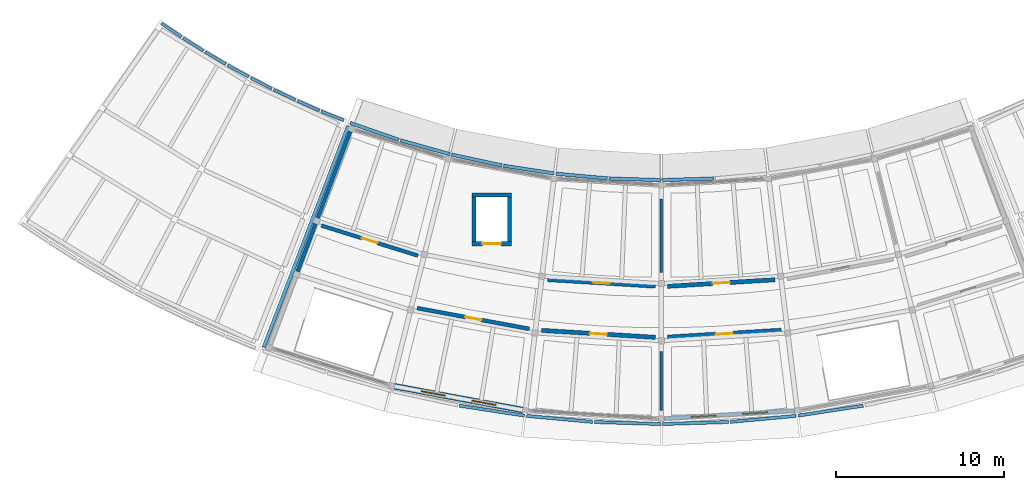
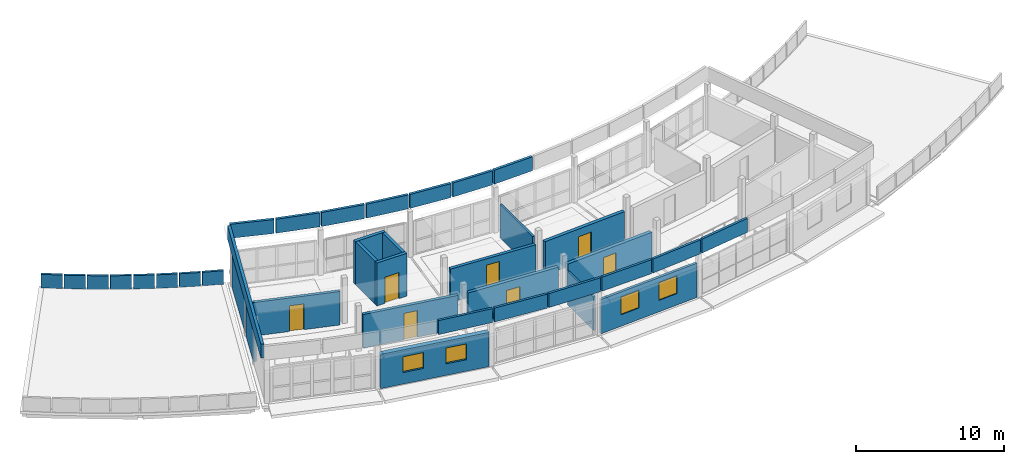
# One storey, part 9 of 12: 38 walls, 7 doors, 4 windows, 11 openings.
"""IFC4 building model written with IfcOpenShell, lengths in metres."""

from ifc_helpers import new_model, si_unit, direction, frame, frame_2d, origin, place, context, subcontext, project, spatial, rectangle, extrude, material, layer, layer_set, type_object, element, fill, save


model = new_model("IFC4")

# Units and contexts
model_context = context("Model", 3, precision=1e-05, world=origin(), true_north=direction((0.0, 1.0)))
body_context = subcontext(model_context, "Body", "Model", "MODEL_VIEW")
ifc_project = project(units=[si_unit("LENGTHUNIT", "METRE"), si_unit("AREAUNIT", "SQUARE_METRE"), si_unit("VOLUMEUNIT", "CUBIC_METRE"), si_unit("PLANEANGLEUNIT", "RADIAN"), si_unit("MASSUNIT", "GRAM", prefix="KILO")], contexts=[model_context])

# Site, building, storey
site_placement = place(None, origin())
site = spatial("IfcSite", under=ifc_project, at=site_placement, CompositionType="ELEMENT")
building_placement = place(site_placement, origin())
building = spatial("IfcBuilding", under=site, at=building_placement, Name="Caldaven Crescent School", CompositionType="ELEMENT")
storey_placement = place(building_placement, frame((0.0, 0.0, 19.3798828125)))
storey = spatial("IfcBuildingStorey", under=building, at=storey_placement, Name="L05", CompositionType="ELEMENT", Elevation=19.3798828125)

# Wall
ifc_material_1 = material(Name="Concrete C35/45", Category="concrete")
ifc_layer_1 = layer(ifc_material_1, 0.300048828125)
ifc_layer_set_1 = layer_set([ifc_layer_1], Name="Concrete C35/45")
wall_type_1 = type_object("IfcWallType", Name="WAL-CW1", PredefinedType="SHEAR", material=ifc_layer_set_1)
wall_1_placement = place(storey_placement, frame((76.729248046875, 42.977783203125, 0.0), z_axis=(0.0, 0.0, 1.0), x_axis=(1.0, 0.0, 0.0)))
element("IfcWall", 1, at=wall_1_placement, inside=storey, type_object=wall_type_1, Name="CW-LF5-L05-N", PredefinedType="SHEAR", context=body_context, shape_type="SweptSolid", body=[
    extrude(rectangle(XDim=2.349853515625, YDim=0.25, at=frame_2d((1.1748046875, 0.0))), origin(), (0.0, 0.0, 1.0), 3.530029296875),
])

# Wall, opening, door
wall_2_placement = place(storey_placement, frame((76.729248046875, 40.07763671875, 0.0), z_axis=(0.0, 0.0, 1.0), x_axis=(1.0, 0.0, 0.0)))
wall_2 = element("IfcWall", 2, at=wall_2_placement, inside=storey, type_object=wall_type_1, Name="CW-LF5-L05-S", PredefinedType="SHEAR", context=body_context, shape_type="SweptSolid", body=[
    extrude(rectangle(XDim=2.349853515625, YDim=0.25, at=frame_2d((1.1748046875, 0.0))), origin(), (0.0, 0.0, 1.0), 3.530029296875),
])
opening_1_placement = place(wall_2_placement, frame((0.625, 0.0, 0.0)))
opening_1 = element("IfcOpeningElement", 3, at=opening_1_placement, cuts=wall_2, Name="Opening LD-LF5-L05", PredefinedType="OPENING", context=body_context, shape_type="SweptSolid", body=[
    extrude(rectangle(XDim=1.10009765625, YDim=2.14990234375, at=frame_2d((0.550048828125, 1.074951171875))), frame((0.0, 0.135009765625, 0.0), z_axis=(0.0, -1.0, 0.0), x_axis=(1.0, 0.0, 0.0)), (0.0, 0.0, 1.0), 0.27001953125),
])
ifc_material_2 = material(Name="Brushed stainless-steel automatic telescopic landing door", Category="steel")
door_type_1 = type_object("IfcDoorType", Name="DOR-LD01", OperationType="DOUBLE_DOOR_SLIDING", PredefinedType="DOOR", material=ifc_material_2)
door_1_placement = place(opening_1_placement, origin())
door_1 = element("IfcDoor", 4, at=door_1_placement, inside=storey, type_object=door_type_1, Name="DOR-LD-LF5-L05", OperationType="DOUBLE_DOOR_SLIDING", OverallHeight=2.14990234375, OverallWidth=1.10009765625, PredefinedType="DOOR", context=body_context, shape_type="SweptSolid", body=[
    extrude(rectangle(XDim=1.10009765625, YDim=2.14990234375, at=frame_2d((0.550048828125, 1.074951171875))), frame((0.0, 0.02490234375, 0.0), z_axis=(0.0, -1.0, 0.0), x_axis=(1.0, 0.0, 0.0)), (0.0, 0.0, 1.0), 0.050048828125),
])
fill(opening_1, door_1)

# Walls
ifc_layer_2 = layer(ifc_material_1, 0.25)
ifc_layer_set_2 = layer_set([ifc_layer_2], Name="Concrete C35/45")
wall_type_2 = type_object("IfcWallType", Name="WAL-CW2", PredefinedType="SHEAR", material=ifc_layer_set_2)
for number, where, z_axis, x_axis, name in (
    (5, (76.854248046875, 40.20263671875, 0.0), (0.0, 0.0, 1.0), (0.0, 1.0, 0.0), "CW-LF5-L05-W"),
    (6, (78.9541015625, 40.20263671875, 0.0), (0.0, 0.0, 1.0), (0.0, 1.0, 0.0), "CW-LF5-L05-E"),
):
    element("IfcWall", number, at=place(storey_placement, frame(where, z_axis=z_axis, x_axis=x_axis)), inside=storey, type_object=wall_type_2, Name=name, PredefinedType="SHEAR", context=body_context, shape_type="SweptSolid", body=[
        extrude(rectangle(XDim=2.650146484375, YDim=0.25, at=frame_2d((1.3251953125, 0.0))), origin(), (0.0, 0.0, 1.0), 3.530029296875),
    ])

# Wall, openings, windows
ifc_material_3 = material(Name="Precast concrete C35/45", Category="concrete")
ifc_layer_3 = layer(ifc_material_3, 0.19189453125)
ifc_layer_set_3 = layer_set([ifc_layer_3], Name="Precast concrete C35/45")
wall_type_3 = type_object("IfcWallType", Name="WAL-EW01", PredefinedType="STANDARD", material=ifc_layer_set_3)
wall_3_placement = place(storey_placement, frame((88.167724609375, 29.66015625, 0.0), z_axis=(0.0, 0.0, 1.0), x_axis=(0.998134280548, 0.061057006105, 0.0)))
wall_3 = element("IfcWall", 7, at=wall_3_placement, inside=storey, type_object=wall_type_3, Name="EW-L05-252", PredefinedType="STANDARD", context=body_context, shape_type="SweptSolid", body=[
    extrude(rectangle(XDim=7.76513671875, YDim=0.19189453125, at=frame_2d((3.882568359375, 0.0))), origin(), (0.0, 0.0, 1.0), 2.820068359375),
])
opening_2_placement = place(wall_3_placement, frame((1.614990234375, 0.0, 0.949951171875)))
opening_2 = element("IfcOpeningElement", 8, at=opening_2_placement, cuts=wall_3, Name="Opening W15", PredefinedType="OPENING", context=body_context, shape_type="SweptSolid", body=[
    extrude(rectangle(XDim=1.4599609375, YDim=1.449951171875, at=frame_2d((0.72998046875, 0.72509765625))), frame((0.0, 0.10595703125, 0.0), z_axis=(0.0, -1.0, 0.0), x_axis=(1.0, 0.0, 0.0)), (0.0, 0.0, 1.0), 0.2119140625),
])
opening_3_placement = place(wall_3_placement, frame((4.690185546875, 0.0, 0.949951171875)))
opening_3 = element("IfcOpeningElement", 9, at=opening_3_placement, cuts=wall_3, Name="Opening W15", PredefinedType="OPENING", context=body_context, shape_type="SweptSolid", body=[
    extrude(rectangle(XDim=1.4599609375, YDim=1.449951171875, at=frame_2d((0.72998046875, 0.72509765625))), frame((0.0, 0.10595703125, 0.0), z_axis=(0.0, -1.0, 0.0), x_axis=(1.0, 0.0, 0.0)), (0.0, 0.0, 1.0), 0.2119140625),
])
ifc_material_4 = material(Name="Thermally broken anodised aluminium AA 6063-T6 and low-E double glazing", Category="aluminium")
window_type_1 = type_object("IfcWindowType", Name="WIN-W15", PartitioningType="SINGLE_PANEL", PredefinedType="WINDOW", material=ifc_material_4)
window_1_placement = place(opening_2_placement, origin())
window_1 = element("IfcWindow", 10, at=window_1_placement, inside=storey, type_object=window_type_1, Name="WIN-L05-110-1", OverallHeight=1.449951171875, OverallWidth=1.4599609375, PartitioningType="SINGLE_PANEL", PredefinedType="WINDOW", context=body_context, shape_type="SweptSolid", body=[
    extrude(rectangle(XDim=1.4599609375, YDim=1.449951171875, at=frame_2d((0.72998046875, 0.72509765625))), frame((0.0, 0.030029296875, 0.0), z_axis=(0.0, -1.0, 0.0), x_axis=(1.0, 0.0, 0.0)), (0.0, 0.0, 1.0), 0.06005859375),
])
fill(opening_2, window_1)
window_2_placement = place(opening_3_placement, origin())
window_2 = element("IfcWindow", 11, at=window_2_placement, inside=storey, type_object=window_type_1, Name="WIN-L05-110-2", OverallHeight=1.449951171875, OverallWidth=1.4599609375, PartitioningType="SINGLE_PANEL", PredefinedType="WINDOW", context=body_context, shape_type="SweptSolid", body=[
    extrude(rectangle(XDim=1.4599609375, YDim=1.449951171875, at=frame_2d((0.72998046875, 0.72509765625))), frame((0.0, 0.030029296875, 0.0), z_axis=(0.0, -1.0, 0.0), x_axis=(1.0, 0.0, 0.0)), (0.0, 0.0, 1.0), 0.06005859375),
])
fill(opening_3, window_2)

# Walls
ifc_layer_4 = layer(ifc_material_3, 0.216064453125)
ifc_layer_set_4 = layer_set([ifc_layer_4], Name="Precast concrete C35/45")
wall_type_4 = type_object("IfcWallType", Name="WAL-EW03", PredefinedType="STANDARD", material=ifc_layer_set_4)
wall_4_placement = place(storey_placement, frame((69.482177734375, 46.748291015625, 0.0), z_axis=(0.0, 0.0, 1.0), x_axis=(-0.35193583719, -0.936024127094, 0.0)))
element("IfcWall", 12, at=wall_4_placement, inside=storey, type_object=wall_type_4, Name="EW-L05-254", PredefinedType="STANDARD", context=body_context, shape_type="SweptSolid", body=[
    extrude(rectangle(XDim=5.4990234375, YDim=0.216064453125, at=frame_2d((2.74951171875, 0.0))), origin(), (0.0, 0.0, 1.0), 2.820068359375),
])
ifc_layer_5 = layer(ifc_material_3, 0.22802734375)
ifc_layer_set_5 = layer_set([ifc_layer_5], Name="Precast concrete C35/45")
wall_type_5 = type_object("IfcWallType", Name="WAL-EW04", PredefinedType="STANDARD", material=ifc_layer_set_5)
wall_5_placement = place(storey_placement, frame((67.41796875, 41.25830078125, 0.0), z_axis=(0.0, 0.0, 1.0), x_axis=(-0.351899369392, -0.936037837815, 0.0)))
element("IfcWall", 13, at=wall_5_placement, inside=storey, type_object=wall_type_5, Name="EW-L05-255", PredefinedType="STANDARD", context=body_context, shape_type="SweptSolid", body=[
    extrude(rectangle(XDim=3.033935546875, YDim=0.22802734375, at=frame_2d((1.51708984375, 0.0))), origin(), (0.0, 0.0, 1.0), 2.820068359375),
])

# Wall, openings, windows
ifc_layer_6 = layer(ifc_material_3, 0.347900390625)
ifc_layer_set_6 = layer_set([ifc_layer_6], Name="Precast concrete C35/45")
wall_type_6 = type_object("IfcWallType", Name="WAL-EW14", PredefinedType="STANDARD", material=ifc_layer_set_6)
wall_6_placement = place(storey_placement, frame((72.11376953125, 31.59033203125, 0.0), z_axis=(0.0, 0.0, 1.0), x_axis=(0.983255515732, -0.182232244082, 0.0)))
wall_6 = element("IfcWall", 14, at=wall_6_placement, inside=storey, type_object=wall_type_6, Name="EW-L05-251", PredefinedType="STANDARD", context=body_context, shape_type="SweptSolid", body=[
    extrude(rectangle(XDim=7.76513671875, YDim=0.347900390625, at=frame_2d((3.882568359375, 0.0))), origin(), (0.0, 0.0, 1.0), 2.820068359375),
])
opening_4_placement = place(wall_6_placement, frame((1.614990234375, 0.0, 0.949951171875)))
opening_4 = element("IfcOpeningElement", 15, at=opening_4_placement, cuts=wall_6, Name="Opening W14", PredefinedType="OPENING", context=body_context, shape_type="SweptSolid", body=[
    extrude(rectangle(XDim=1.4599609375, YDim=1.300048828125, at=frame_2d((0.72998046875, 0.64990234375))), frame((0.0, 0.183837890625, 0.0), z_axis=(0.0, -1.0, 0.0), x_axis=(1.0, 0.0, 0.0)), (0.0, 0.0, 1.0), 0.367919921875),
])
opening_5_placement = place(wall_6_placement, frame((4.690185546875, 0.0, 0.949951171875)))
opening_5 = element("IfcOpeningElement", 16, at=opening_5_placement, cuts=wall_6, Name="Opening W14", PredefinedType="OPENING", context=body_context, shape_type="SweptSolid", body=[
    extrude(rectangle(XDim=1.4599609375, YDim=1.300048828125, at=frame_2d((0.72998046875, 0.64990234375))), frame((0.0, 0.183837890625, 0.0), z_axis=(0.0, -1.0, 0.0), x_axis=(1.0, 0.0, 0.0)), (0.0, 0.0, 1.0), 0.367919921875),
])
window_type_2 = type_object("IfcWindowType", Name="WIN-W14", PartitioningType="SINGLE_PANEL", PredefinedType="WINDOW", material=ifc_material_4)
window_3_placement = place(opening_4_placement, origin())
window_3 = element("IfcWindow", 17, at=window_3_placement, inside=storey, type_object=window_type_2, Name="WIN-L05-109-1", OverallHeight=1.300048828125, OverallWidth=1.4599609375, PartitioningType="SINGLE_PANEL", PredefinedType="WINDOW", context=body_context, shape_type="SweptSolid", body=[
    extrude(rectangle(XDim=1.4599609375, YDim=1.300048828125, at=frame_2d((0.72998046875, 0.64990234375))), frame((0.0, 0.030029296875, 0.0), z_axis=(0.0, -1.0, 0.0), x_axis=(1.0, 0.0, 0.0)), (0.0, 0.0, 1.0), 0.06005859375),
])
fill(opening_4, window_3)
window_4_placement = place(opening_5_placement, origin())
window_4 = element("IfcWindow", 18, at=window_4_placement, inside=storey, type_object=window_type_2, Name="WIN-L05-109-2", OverallHeight=1.300048828125, OverallWidth=1.4599609375, PartitioningType="SINGLE_PANEL", PredefinedType="WINDOW", context=body_context, shape_type="SweptSolid", body=[
    extrude(rectangle(XDim=1.4599609375, YDim=1.300048828125, at=frame_2d((0.72998046875, 0.64990234375))), frame((0.0, 0.030029296875, 0.0), z_axis=(0.0, -1.0, 0.0), x_axis=(1.0, 0.0, 0.0)), (0.0, 0.0, 1.0), 0.06005859375),
])
fill(opening_5, window_4)

# Wall, opening, door
ifc_material_5 = material(Name="Acoustic timber-stud and fire-rated gypsum board assembly", Category="wood")
ifc_layer_7 = layer(ifc_material_5, 0.219970703125)
ifc_layer_set_7 = layer_set([ifc_layer_7], Name="Acoustic timber-stud and fire-rated gypsum board assembly")
wall_type_7 = type_object("IfcWallType", Name="WAL-IW07", PredefinedType="STANDARD", material=ifc_layer_set_7)
wall_7_placement = place(storey_placement, frame((67.7626953125, 41.154052734375, 0.0), z_axis=(0.0, 0.0, 1.0), x_axis=(0.954756741519, -0.297387902451, 0.0)))
wall_7 = element("IfcWall", 19, at=wall_7_placement, inside=storey, type_object=wall_type_7, Name="IW-L05-0294", PredefinedType="STANDARD", context=body_context, shape_type="SweptSolid", body=[
    extrude(rectangle(XDim=6.018310546875, YDim=0.219970703125, at=frame_2d((3.00927734375, 0.0))), origin(), (0.0, 0.0, 1.0), 2.760009765625),
])
opening_6_placement = place(wall_7_placement, frame((2.51904296875, 0.0, 0.0)))
opening_6 = element("IfcOpeningElement", 20, at=opening_6_placement, cuts=wall_7, Name="Opening D-L05-I213", PredefinedType="OPENING", context=body_context, shape_type="SweptSolid", body=[
    extrude(rectangle(XDim=0.97998046875, YDim=2.1201171875, at=frame_2d((0.489990234375, 1.06005859375))), frame((0.0, 0.119873046875, 0.0), z_axis=(0.0, -1.0, 0.0), x_axis=(1.0, 0.0, 0.0)), (0.0, 0.0, 1.0), 0.239990234375),
])
ifc_material_6 = material(Name="Solid-core Pino Radiata acoustic timber leaf in steel frame", Category="steel")
door_type_2 = type_object("IfcDoorType", Name="DOR-ID14", OperationType="NOTDEFINED", PredefinedType="DOOR", material=ifc_material_6)
door_2_placement = place(opening_6_placement, frame((0.97998046875, 0.0, 0.0), z_axis=(0.0, 0.0, 1.0), x_axis=(-1.0, 0.0, 0.0)))
door_2 = element("IfcDoor", 21, at=door_2_placement, inside=storey, type_object=door_type_2, Name="DOR-INT-L05-0213", OperationType="SINGLE_SWING_RIGHT", OverallHeight=2.1201171875, OverallWidth=0.97998046875, PredefinedType="DOOR", context=body_context, shape_type="SweptSolid", body=[
    extrude(rectangle(XDim=0.97998046875, YDim=2.1201171875, at=frame_2d((0.489990234375, 1.06005859375))), frame((0.0, 0.02490234375, 0.0), z_axis=(0.0, -1.0, 0.0), x_axis=(1.0, 0.0, 0.0)), (0.0, 0.0, 1.0), 0.050048828125),
])
fill(opening_6, door_2)

ifc_layer_8 = layer(ifc_material_5, 0.22998046875)
ifc_layer_set_8 = layer_set([ifc_layer_8], Name="Acoustic timber-stud and fire-rated gypsum board assembly")
wall_type_8 = type_object("IfcWallType", Name="WAL-IW08", PredefinedType="STANDARD", material=ifc_layer_set_8)
wall_8_placement = place(storey_placement, frame((73.470947265625, 36.24169921875, 0.0), z_axis=(0.0, 0.0, 1.0), x_axis=(0.983257442509, -0.182221847619, 0.0)))
wall_8 = element("IfcWall", 22, at=wall_8_placement, inside=storey, type_object=wall_type_8, Name="IW-L05-0295", PredefinedType="STANDARD", context=body_context, shape_type="SweptSolid", body=[
    extrude(rectangle(XDim=6.79150390625, YDim=0.22998046875, at=frame_2d((3.395751953125, 0.0))), origin(), (0.0, 0.0, 1.0), 2.760009765625),
])
opening_7_placement = place(wall_8_placement, frame((2.90576171875, 0.0, 0.0)))
opening_7 = element("IfcOpeningElement", 23, at=opening_7_placement, cuts=wall_8, Name="Opening D-L05-I214", PredefinedType="OPENING", context=body_context, shape_type="SweptSolid", body=[
    extrude(rectangle(XDim=0.97998046875, YDim=2.179931640625, at=frame_2d((0.489990234375, 1.08984375))), frame((0.0, 0.125, 0.0), z_axis=(0.0, -1.0, 0.0), x_axis=(1.0, 0.0, 0.0)), (0.0, 0.0, 1.0), 0.25),
])
door_type_3 = type_object("IfcDoorType", Name="DOR-ID15", OperationType="NOTDEFINED", PredefinedType="DOOR", material=ifc_material_6)
door_3_placement = place(opening_7_placement, origin())
door_3 = element("IfcDoor", 24, at=door_3_placement, inside=storey, type_object=door_type_3, Name="DOR-INT-L05-0214", OperationType="SINGLE_SWING_LEFT", OverallHeight=2.179931640625, OverallWidth=0.97998046875, PredefinedType="DOOR", context=body_context, shape_type="SweptSolid", body=[
    extrude(rectangle(XDim=0.97998046875, YDim=2.179931640625, at=frame_2d((0.489990234375, 1.08984375))), frame((0.0, 0.02490234375, 0.0), z_axis=(0.0, -1.0, 0.0), x_axis=(1.0, 0.0, 0.0)), (0.0, 0.0, 1.0), 0.050048828125),
])
fill(opening_7, door_3)

ifc_layer_9 = layer(ifc_material_5, 0.239990234375)
ifc_layer_set_9 = layer_set([ifc_layer_9], Name="Acoustic timber-stud and fire-rated gypsum board assembly")
wall_type_9 = type_object("IfcWallType", Name="WAL-IW09", PredefinedType="STANDARD", material=ifc_layer_set_9)
wall_9_placement = place(storey_placement, frame((81.232421875, 37.933837890625, 0.0), z_axis=(0.0, 0.0, 1.0), x_axis=(0.998135716959, -0.061033519724, 0.0)))
wall_9 = element("IfcWall", 25, at=wall_9_placement, inside=storey, type_object=wall_type_9, Name="IW-L05-0296", PredefinedType="STANDARD", context=body_context, shape_type="SweptSolid", body=[
    extrude(rectangle(XDim=6.420166015625, YDim=0.239990234375, at=frame_2d((3.2099609375, 0.0))), origin(), (0.0, 0.0, 1.0), 2.760009765625),
])
opening_8_placement = place(wall_9_placement, frame((2.72021484375, 0.0, 0.0)))
opening_8 = element("IfcOpeningElement", 26, at=opening_8_placement, cuts=wall_9, Name="Opening D-L05-I215", PredefinedType="OPENING", context=body_context, shape_type="SweptSolid", body=[
    extrude(rectangle(XDim=0.97998046875, YDim=2.239990234375, at=frame_2d((0.489990234375, 1.1201171875))), frame((0.0, 0.1298828125, 0.0), z_axis=(0.0, -1.0, 0.0), x_axis=(1.0, 0.0, 0.0)), (0.0, 0.0, 1.0), 0.260009765625),
])
door_type_4 = type_object("IfcDoorType", Name="DOR-ID16", OperationType="NOTDEFINED", PredefinedType="DOOR", material=ifc_material_6)
door_4_placement = place(opening_8_placement, frame((0.97998046875, 0.0, 0.0), z_axis=(0.0, 0.0, 1.0), x_axis=(-1.0, 0.0, 0.0)))
door_4 = element("IfcDoor", 27, at=door_4_placement, inside=storey, type_object=door_type_4, Name="DOR-INT-L05-0215", OperationType="SINGLE_SWING_RIGHT", OverallHeight=2.239990234375, OverallWidth=0.97998046875, PredefinedType="DOOR", context=body_context, shape_type="SweptSolid", body=[
    extrude(rectangle(XDim=0.97998046875, YDim=2.239990234375, at=frame_2d((0.489990234375, 1.1201171875))), frame((0.0, 0.02490234375, 0.0), z_axis=(0.0, -1.0, 0.0), x_axis=(1.0, 0.0, 0.0)), (0.0, 0.0, 1.0), 0.050048828125),
])
fill(opening_8, door_4)

ifc_layer_10 = layer(ifc_material_5, 0.25)
ifc_layer_set_10 = layer_set([ifc_layer_10], Name="Acoustic timber-stud and fire-rated gypsum board assembly")
wall_type_10 = type_object("IfcWallType", Name="WAL-IW10", PredefinedType="STANDARD", material=ifc_layer_set_10)
wall_10_placement = place(storey_placement, frame((80.86181640625, 34.91650390625, 0.0), z_axis=(0.0, 0.0, 1.0), x_axis=(0.998135326973, -0.061039897184, 0.0)))
wall_10 = element("IfcWall", 28, at=wall_10_placement, inside=storey, type_object=wall_type_10, Name="IW-L05-0297", PredefinedType="STANDARD", context=body_context, shape_type="SweptSolid", body=[
    extrude(rectangle(XDim=6.79150390625, YDim=0.25, at=frame_2d((3.395751953125, 0.0))), origin(), (0.0, 0.0, 1.0), 2.760009765625),
])
opening_9_placement = place(wall_10_placement, frame((2.8857421875, 0.0, 0.0)))
opening_9 = element("IfcOpeningElement", 29, at=opening_9_placement, cuts=wall_10, Name="Opening D-L05-I216", PredefinedType="OPENING", context=body_context, shape_type="SweptSolid", body=[
    extrude(rectangle(XDim=1.02001953125, YDim=2.06005859375, at=frame_2d((0.510009765625, 1.030029296875))), frame((0.0, 0.135009765625, 0.0), z_axis=(0.0, -1.0, 0.0), x_axis=(1.0, 0.0, 0.0)), (0.0, 0.0, 1.0), 0.27001953125),
])
door_type_5 = type_object("IfcDoorType", Name="DOR-ID17", OperationType="NOTDEFINED", PredefinedType="DOOR", material=ifc_material_6)
door_5_placement = place(opening_9_placement, origin())
door_5 = element("IfcDoor", 30, at=door_5_placement, inside=storey, type_object=door_type_5, Name="DOR-INT-L05-0216", OperationType="SINGLE_SWING_LEFT", OverallHeight=2.06005859375, OverallWidth=1.02001953125, PredefinedType="DOOR", context=body_context, shape_type="SweptSolid", body=[
    extrude(rectangle(XDim=1.02001953125, YDim=2.06005859375, at=frame_2d((0.510009765625, 1.030029296875))), frame((0.0, 0.02490234375, 0.0), z_axis=(0.0, -1.0, 0.0), x_axis=(1.0, 0.0, 0.0)), (0.0, 0.0, 1.0), 0.050048828125),
])
fill(opening_9, door_5)

ifc_layer_11 = layer(ifc_material_5, 0.260009765625)
ifc_layer_set_11 = layer_set([ifc_layer_11], Name="Acoustic timber-stud and fire-rated gypsum board assembly")
wall_type_11 = type_object("IfcWallType", Name="WAL-IW11", PredefinedType="STANDARD", material=ifc_layer_set_11)
wall_11_placement = place(storey_placement, frame((88.359375, 37.5419921875, 0.0), z_axis=(0.0, 0.0, 1.0), x_axis=(0.998135716959, 0.061033519724, 0.0)))
wall_11 = element("IfcWall", 31, at=wall_11_placement, inside=storey, type_object=wall_type_11, Name="IW-L05-0298", PredefinedType="STANDARD", context=body_context, shape_type="SweptSolid", body=[
    extrude(rectangle(XDim=6.420166015625, YDim=0.260009765625, at=frame_2d((3.2099609375, 0.0))), origin(), (0.0, 0.0, 1.0), 2.760009765625),
])
opening_10_placement = place(wall_11_placement, frame((2.7001953125, 0.0, 0.0)))
opening_10 = element("IfcOpeningElement", 32, at=opening_10_placement, cuts=wall_11, Name="Opening D-L05-I217", PredefinedType="OPENING", context=body_context, shape_type="SweptSolid", body=[
    extrude(rectangle(XDim=1.02001953125, YDim=2.1201171875, at=frame_2d((0.510009765625, 1.06005859375))), frame((0.0, 0.139892578125, 0.0), z_axis=(0.0, -1.0, 0.0), x_axis=(1.0, 0.0, 0.0)), (0.0, 0.0, 1.0), 0.280029296875),
])
door_type_6 = type_object("IfcDoorType", Name="DOR-ID18", OperationType="NOTDEFINED", PredefinedType="DOOR", material=ifc_material_6)
door_6_placement = place(opening_10_placement, frame((1.02001953125, 0.0, 0.0), z_axis=(0.0, 0.0, 1.0), x_axis=(-1.0, 0.0, 0.0)))
door_6 = element("IfcDoor", 33, at=door_6_placement, inside=storey, type_object=door_type_6, Name="DOR-INT-L05-0217", OperationType="SINGLE_SWING_RIGHT", OverallHeight=2.1201171875, OverallWidth=1.02001953125, PredefinedType="DOOR", context=body_context, shape_type="SweptSolid", body=[
    extrude(rectangle(XDim=1.02001953125, YDim=2.1201171875, at=frame_2d((0.510009765625, 1.06005859375))), frame((0.0, 0.02490234375, 0.0), z_axis=(0.0, -1.0, 0.0), x_axis=(1.0, 0.0, 0.0)), (0.0, 0.0, 1.0), 0.050048828125),
])
fill(opening_10, door_6)

ifc_material_7 = material(Name="Autoclaved aerated concrete block masonry G5", Category="masonry")
ifc_layer_12 = layer(ifc_material_7, 0.27001953125)
ifc_layer_set_12 = layer_set([ifc_layer_12], Name="Autoclaved aerated concrete block masonry G5")
wall_type_12 = type_object("IfcWallType", Name="WAL-IW12", PredefinedType="STANDARD", material=ifc_layer_set_12)
wall_12_placement = place(storey_placement, frame((88.359375, 34.501953125, 0.0), z_axis=(0.0, 0.0, 1.0), x_axis=(0.998135326973, 0.061039897184, 0.0)))
wall_12 = element("IfcWall", 34, at=wall_12_placement, inside=storey, type_object=wall_type_12, Name="IW-L05-0299", PredefinedType="STANDARD", context=body_context, shape_type="SweptSolid", body=[
    extrude(rectangle(XDim=6.79150390625, YDim=0.27001953125, at=frame_2d((3.395751953125, 0.0))), origin(), (0.0, 0.0, 1.0), 2.760009765625),
])
opening_11_placement = place(wall_12_placement, frame((2.8857421875, 0.0, 0.0)))
opening_11 = element("IfcOpeningElement", 35, at=opening_11_placement, cuts=wall_12, Name="Opening D-L05-I218", PredefinedType="OPENING", context=body_context, shape_type="SweptSolid", body=[
    extrude(rectangle(XDim=1.02001953125, YDim=2.179931640625, at=frame_2d((0.510009765625, 1.08984375))), frame((0.0, 0.14501953125, 0.0), z_axis=(0.0, -1.0, 0.0), x_axis=(1.0, 0.0, 0.0)), (0.0, 0.0, 1.0), 0.2900390625),
])
door_type_7 = type_object("IfcDoorType", Name="DOR-ID19", OperationType="NOTDEFINED", PredefinedType="DOOR", material=ifc_material_6)
door_7_placement = place(opening_11_placement, origin())
door_7 = element("IfcDoor", 36, at=door_7_placement, inside=storey, type_object=door_type_7, Name="DOR-INT-L05-0218", OperationType="SINGLE_SWING_LEFT", OverallHeight=2.179931640625, OverallWidth=1.02001953125, PredefinedType="DOOR", context=body_context, shape_type="SweptSolid", body=[
    extrude(rectangle(XDim=1.02001953125, YDim=2.179931640625, at=frame_2d((0.510009765625, 1.08984375))), frame((0.0, 0.02490234375, 0.0), z_axis=(0.0, -1.0, 0.0), x_axis=(1.0, 0.0, 0.0)), (0.0, 0.0, 1.0), 0.050048828125),
])
fill(opening_11, door_7)

# Walls
ifc_layer_13 = layer(ifc_material_3, 0.169921875)
ifc_layer_set_13 = layer_set([ifc_layer_13], Name="Precast concrete C35/45")
wall_type_13 = type_object("IfcWallType", Name="WAL-PRP02", PredefinedType="PARAPET", material=ifc_layer_set_13)
for number, where, z_axis, x_axis, name in (
    (37, (58.241455078125, 53.187255859375, 0.0), (0.0, 0.0, 1.0), (0.828921661726, -0.559364709935, 0.0), "PRP-RF-L05-W-I0"),
    (38, (59.531005859375, 52.319091796875, 0.0), (0.0, 0.0, 1.0), (0.845262375469, -0.534351491639, 0.0), "PRP-RF-L05-W-I1"),
    (39, (60.845947265625, 51.489990234375, 0.0), (0.0, 0.0, 1.0), (0.860763863235, -0.509004490893, 0.0), "PRP-RF-L05-W-I2"),
    (40, (62.184814453125, 50.7001953125, 0.0), (0.0, 0.0, 1.0), (0.875550380167, -0.483126827851, 0.0), "PRP-RF-L05-W-I3"),
    (41, (63.546875, 49.95068359375, 0.0), (0.0, 0.0, 1.0), (0.88957636358, -0.456786485527, 0.0), "PRP-RF-L05-W-I4"),
    (42, (64.930419921875, 49.2421875, 0.0), (0.0, 0.0, 1.0), (0.902807035558, -0.430045877258, 0.0), "PRP-RF-L05-W-I5"),
):
    element("IfcWall", number, at=place(storey_placement, frame(where, z_axis=z_axis, x_axis=x_axis)), inside=storey, type_object=wall_type_13, Name=name, PredefinedType="PARAPET", context=body_context, shape_type="SweptSolid", body=[
        extrude(rectangle(XDim=1.4345703125, YDim=0.169921875, at=frame_2d((0.71728515625, 0.0))), origin(), (0.0, 0.0, 1.0), 1.1201171875),
    ])
wall_13_placement = place(storey_placement, frame((66.334716796875, 48.5751953125, 0.0), z_axis=(0.0, 0.0, 1.0), x_axis=(0.915244742154, -0.402898327074, 0.0)))
element("IfcWall", 43, at=wall_13_placement, inside=storey, type_object=wall_type_13, Name="PRP-RF-L05-W-I6", PredefinedType="PARAPET", context=body_context, shape_type="SweptSolid", body=[
    extrude(rectangle(XDim=1.434326171875, YDim=0.169921875, at=frame_2d((0.71728515625, 0.0))), origin(), (0.0, 0.0, 1.0), 1.1201171875),
])
wall_14_placement = place(storey_placement, frame((67.758056640625, 47.950439453125, 0.0), z_axis=(0.0, 0.0, 1.0), x_axis=(0.926848133031, -0.375436463729, 0.0)))
element("IfcWall", 44, at=wall_14_placement, inside=storey, type_object=wall_type_13, Name="PRP-RF-L05-W-I7", PredefinedType="PARAPET", context=body_context, shape_type="SweptSolid", body=[
    extrude(rectangle(XDim=1.4345703125, YDim=0.169921875, at=frame_2d((0.71728515625, 0.0))), origin(), (0.0, 0.0, 1.0), 1.1201171875),
])
ifc_layer_14 = layer(ifc_material_3, 0.18505859375)
ifc_layer_set_14 = layer_set([ifc_layer_14], Name="Precast concrete C35/45")
wall_type_14 = type_object("IfcWallType", Name="WAL-PRP03", PredefinedType="PARAPET", material=ifc_layer_set_14)
wall_15_placement = place(storey_placement, frame((75.98681640625, 30.433349609375, 3.740234375), z_axis=(0.0, 0.0, 1.0), x_axis=(0.988505756164, -0.151183233296, 0.0)))
element("IfcWall", 45, at=wall_15_placement, inside=storey, type_object=wall_type_14, Name="PRP-ROOF-OUT-03", PredefinedType="PARAPET", context=body_context, shape_type="SweptSolid", body=[
    extrude(rectangle(XDim=3.92578125, YDim=0.18505859375, at=frame_2d((1.962890625, 0.0))), origin(), (0.0, 0.0, 1.0), 1.14990234375),
])
wall_16_placement = place(storey_placement, frame((79.986572265625, 29.8251953125, 3.740234375), z_axis=(0.0, 0.0, 1.0), x_axis=(0.99585847202, -0.090917015492, 0.0)))
element("IfcWall", 46, at=wall_16_placement, inside=storey, type_object=wall_type_14, Name="PRP-ROOF-OUT-04", PredefinedType="PARAPET", context=body_context, shape_type="SweptSolid", body=[
    extrude(rectangle(XDim=3.926025390625, YDim=0.18505859375, at=frame_2d((1.962890625, 0.0))), origin(), (0.0, 0.0, 1.0), 1.14990234375),
])
for number, where, z_axis, x_axis, name in (
    (47, (84.015869140625, 29.4609375, 3.740234375), (0.0, 0.0, 1.0), (0.999539408807, -0.030347491538, 0.0), "PRP-ROOF-OUT-05"),
    (48, (88.06005859375, 29.341796875, 3.740234375), (0.0, 0.0, 1.0), (0.999539408807, 0.030347491538, 0.0), "PRP-ROOF-OUT-06"),
):
    element("IfcWall", number, at=place(storey_placement, frame(where, z_axis=z_axis, x_axis=x_axis)), inside=storey, type_object=wall_type_14, Name=name, PredefinedType="PARAPET", context=body_context, shape_type="SweptSolid", body=[
        extrude(rectangle(XDim=3.92578125, YDim=0.18505859375, at=frame_2d((1.962890625, 0.0))), origin(), (0.0, 0.0, 1.0), 1.14990234375),
    ])
wall_17_placement = place(storey_placement, frame((92.103759765625, 29.46826171875, 3.740234375), z_axis=(0.0, 0.0, 1.0), x_axis=(0.99585847202, 0.090917015492, 0.0)))
element("IfcWall", 49, at=wall_17_placement, inside=storey, type_object=wall_type_14, Name="PRP-ROOF-OUT-07", PredefinedType="PARAPET", context=body_context, shape_type="SweptSolid", body=[
    extrude(rectangle(XDim=3.926025390625, YDim=0.18505859375, at=frame_2d((1.962890625, 0.0))), origin(), (0.0, 0.0, 1.0), 1.14990234375),
])
wall_18_placement = place(storey_placement, frame((96.132568359375, 29.83984375, 3.740234375), z_axis=(0.0, 0.0, 1.0), x_axis=(0.988505756164, 0.151183233296, 0.0)))
element("IfcWall", 50, at=wall_18_placement, inside=storey, type_object=wall_type_14, Name="PRP-ROOF-OUT-08", PredefinedType="PARAPET", context=body_context, shape_type="SweptSolid", body=[
    extrude(rectangle(XDim=3.92578125, YDim=0.18505859375, at=frame_2d((1.962890625, 0.0))), origin(), (0.0, 0.0, 1.0), 1.14990234375),
])
ifc_layer_15 = layer(ifc_material_3, 0.199951171875)
ifc_layer_set_15 = layer_set([ifc_layer_15], Name="Precast concrete C35/45")
wall_type_15 = type_object("IfcWallType", Name="WAL-PRP04", PredefinedType="PARAPET", material=ifc_layer_set_15)
wall_19_placement = place(storey_placement, frame((69.483154296875, 47.2607421875, 3.740234375), z_axis=(0.0, 0.0, 1.0), x_axis=(0.944772320481, -0.327727420965, 0.0)))
element("IfcWall", 51, at=wall_19_placement, inside=storey, type_object=wall_type_15, Name="PRP-ROOF-IN-00", PredefinedType="PARAPET", context=body_context, shape_type="SweptSolid", body=[
    extrude(rectangle(XDim=3.044677734375, YDim=0.199951171875, at=frame_2d((1.5224609375, 0.0))), origin(), (0.0, 0.0, 1.0), 1.14990234375),
])
wall_20_placement = place(storey_placement, frame((72.47412109375, 46.22705078125, 3.740234375), z_axis=(0.0, 0.0, 1.0), x_axis=(0.96292736591, -0.269760797712, 0.0)))
element("IfcWall", 52, at=wall_20_placement, inside=storey, type_object=wall_type_15, Name="PRP-ROOF-IN-01", PredefinedType="PARAPET", context=body_context, shape_type="SweptSolid", body=[
    extrude(rectangle(XDim=3.04443359375, YDim=0.199951171875, at=frame_2d((1.522216796875, 0.0))), origin(), (0.0, 0.0, 1.0), 1.14990234375),
])
wall_21_placement = place(storey_placement, frame((75.522216796875, 45.376953125, 3.740234375), z_axis=(0.0, 0.0, 1.0), x_axis=(0.977511646199, -0.210881439546, 0.0)))
element("IfcWall", 53, at=wall_21_placement, inside=storey, type_object=wall_type_15, Name="PRP-ROOF-IN-02", PredefinedType="PARAPET", context=body_context, shape_type="SweptSolid", body=[
    extrude(rectangle(XDim=3.044677734375, YDim=0.199951171875, at=frame_2d((1.5224609375, 0.0))), origin(), (0.0, 0.0, 1.0), 1.14990234375),
])
wall_22_placement = place(storey_placement, frame((78.616455078125, 44.713134765625, 3.740234375), z_axis=(0.0, 0.0, 1.0), x_axis=(0.988509421606, -0.151159265006, 0.0)))
element("IfcWall", 54, at=wall_22_placement, inside=storey, type_object=wall_type_15, Name="PRP-ROOF-IN-03", PredefinedType="PARAPET", context=body_context, shape_type="SweptSolid", body=[
    extrude(rectangle(XDim=3.04443359375, YDim=0.199951171875, at=frame_2d((1.522216796875, 0.0))), origin(), (0.0, 0.0, 1.0), 1.14990234375),
])
for number, where, z_axis, x_axis, name in (
    (55, (81.7451171875, 44.23828125, 3.740234375), (0.0, 0.0, 1.0), (0.995856976669, -0.090933393312, 0.0), "PRP-ROOF-IN-04"),
    (56, (84.896728515625, 43.9541015625, 3.740234375), (0.0, 0.0, 1.0), (0.999540516806, -0.030310975961, 0.0), "PRP-ROOF-IN-05"),
    (57, (88.06005859375, 43.86181640625, 3.740234375), (0.0, 0.0, 1.0), (0.999540516806, 0.030310975961, 0.0), "PRP-ROOF-IN-06"),
):
    element("IfcWall", number, at=place(storey_placement, frame(where, z_axis=z_axis, x_axis=x_axis)), inside=storey, type_object=wall_type_15, Name=name, PredefinedType="PARAPET", context=body_context, shape_type="SweptSolid", body=[
        extrude(rectangle(XDim=3.044677734375, YDim=0.199951171875, at=frame_2d((1.5224609375, 0.0))), origin(), (0.0, 0.0, 1.0), 1.14990234375),
    ])
ifc_layer_16 = layer(ifc_material_3, 0.215087890625)
ifc_layer_set_16 = layer_set([ifc_layer_16], Name="Precast concrete C35/45")
wall_type_16 = type_object("IfcWallType", Name="WAL-PRP05", PredefinedType="PARAPET", material=ifc_layer_set_16)
wall_23_placement = place(storey_placement, frame((69.3515625, 47.084228515625, 3.740234375), z_axis=(0.0, 0.0, 1.0), x_axis=(-0.356220686024, -0.934401852978, 0.0)))
element("IfcWall", 58, at=wall_23_placement, inside=storey, type_object=wall_type_16, Name="PRP-ROOF-END-W", PredefinedType="PARAPET", context=body_context, shape_type="SweptSolid", body=[
    extrude(rectangle(XDim=14.10009765625, YDim=0.215087890625, at=frame_2d((7.050048828125, 0.0))), origin(), (0.0, 0.0, 1.0), 1.14990234375),
])
ifc_material_8 = material(Name="Acoustic double-layer gypsum partition on galvanised steel studs", Category="steel")
ifc_layer_17 = layer(ifc_material_8, 0.157958984375)
ifc_layer_set_17 = layer_set([ifc_layer_17], Name="Acoustic double-layer gypsum partition on galvanised steel studs")
wall_type_17 = type_object("IfcWallType", Name="WAL-PT13", PredefinedType="PARTITIONING", material=ifc_layer_set_17)
wall_24_placement = place(storey_placement, frame((88.0, 42.75, 0.0), z_axis=(0.0, 0.0, 1.0), x_axis=(0.0, -1.0, 0.0)))
element("IfcWall", 59, at=wall_24_placement, inside=storey, type_object=wall_type_17, Name="IW-L05-0300", PredefinedType="PARTITIONING", context=body_context, shape_type="SweptSolid", body=[
    extrude(rectangle(XDim=4.39990234375, YDim=0.157958984375, at=frame_2d((2.199951171875, 0.0))), origin(), (0.0, 0.0, 1.0), 2.760009765625),
])
ifc_layer_18 = layer(ifc_material_8, 0.1640625)
ifc_layer_set_18 = layer_set([ifc_layer_18], Name="Acoustic double-layer gypsum partition on galvanised steel studs")
wall_type_18 = type_object("IfcWallType", Name="WAL-PT14", PredefinedType="PARTITIONING", material=ifc_layer_set_18)
wall_25_placement = place(storey_placement, frame((88.0, 33.64990234375, 0.0), z_axis=(0.0, 0.0, 1.0), x_axis=(0.0, -1.0, 0.0)))
element("IfcWall", 60, at=wall_25_placement, inside=storey, type_object=wall_type_18, Name="IW-L05-0301", PredefinedType="PARTITIONING", context=body_context, shape_type="SweptSolid", body=[
    extrude(rectangle(XDim=3.5, YDim=0.1640625, at=frame_2d((1.75, 0.0))), origin(), (0.0, 0.0, 1.0), 2.760009765625),
])

save(model, "model.ifc")
